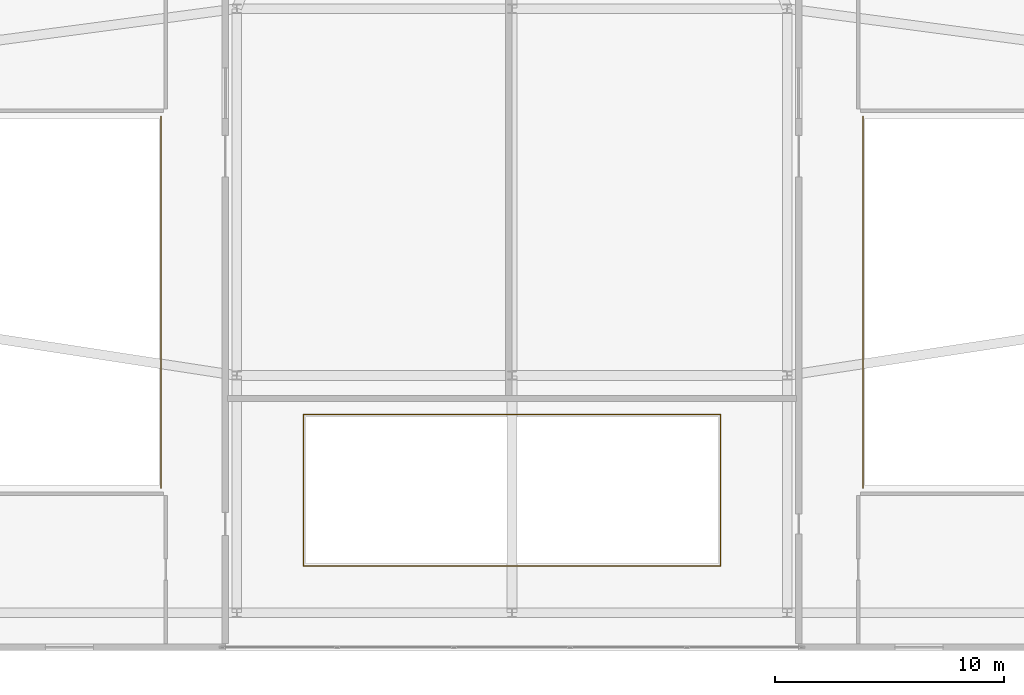
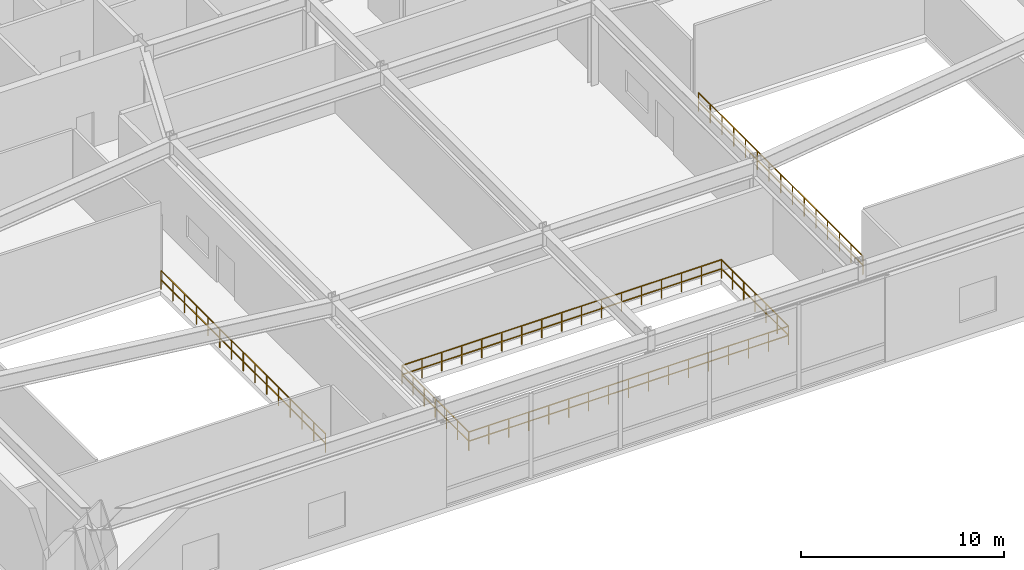
# One storey, part 12 of 13: 6 railings.
"""IFC4 building model written with IfcOpenShell, lengths in metres."""

from ifc_helpers import new_model, si_unit, direction, frame, origin, origin_2d, place, context, subcontext, project, spatial, rectangle, extrude, material, type_object, element, save


model = new_model("IFC4")

# Units and contexts
model_context = context("Model", 3, precision=1e-05, world=origin(), true_north=direction((0.0, 1.0)))
body_context = subcontext(model_context, "Body", "Model", "MODEL_VIEW")
ifc_project = project(units=[si_unit("LENGTHUNIT", "METRE"), si_unit("AREAUNIT", "SQUARE_METRE"), si_unit("VOLUMEUNIT", "CUBIC_METRE"), si_unit("PLANEANGLEUNIT", "RADIAN"), si_unit("MASSUNIT", "GRAM", prefix="KILO")], contexts=[model_context])

# Site, building, storey
site_placement = place(None, origin())
site = spatial("IfcSite", under=ifc_project, at=site_placement, CompositionType="ELEMENT")
building_placement = place(site_placement, origin())
building = spatial("IfcBuilding", under=site, at=building_placement, Name="Varnel Quay Broadcast Tower", CompositionType="ELEMENT")
storey_placement = place(building_placement, frame((0.0, 0.0, 6.0)))
storey = spatial("IfcBuildingStorey", under=building, at=storey_placement, Name="L01", CompositionType="ELEMENT", Elevation=6.0)

# Railings
ifc_material = material(Name="Anodised Bronze Aluminium 6063-T6", Category="aluminium")
railing_type = type_object("IfcRailingType", Name="Rail_Balustrade1150", PredefinedType="BALUSTRADE", material=ifc_material)
railing_1_placement = place(storey_placement, frame((18.699951171875, 7.10009765625, 0.0)))
element("IfcRailing", 1, at=railing_1_placement, inside=storey, type_object=railing_type, Name="L01 STDA Stage Gallery Safety Guard", PredefinedType="BALUSTRADE", context=body_context, shape_type="SweptSolid", body=[
    extrude(rectangle(XDim=0.048095703125, YDim=0.048095703125, at=origin_2d()), frame((0.0, 0.0, 1.1259765625), z_axis=(0.0, 1.0, 0.0), x_axis=(-1.0, 0.0, 0.0)), (0.0, 0.0, 1.0), 16.199951171875),
    extrude(rectangle(XDim=0.048095703125, YDim=0.048095703125, at=origin_2d()), frame((0.0, 0.0, 0.574951171875), z_axis=(0.0, 1.0, 0.0), x_axis=(-1.0, 0.0, 0.0)), (0.0, 0.0, 1.0), 16.199951171875),
    extrude(rectangle(XDim=0.0419921875, YDim=0.0419921875, at=origin_2d()), origin(), (0.0, 0.0, 1.0), 1.101806640625),
    extrude(rectangle(XDim=0.0419921875, YDim=0.0419921875, at=origin_2d()), frame((0.0, 1.1572265625, 0.0)), (0.0, 0.0, 1.0), 1.101806640625),
    extrude(rectangle(XDim=0.0419921875, YDim=0.0419921875, at=origin_2d()), frame((0.0, 2.314208984375, 0.0)), (0.0, 0.0, 1.0), 1.101806640625),
    extrude(rectangle(XDim=0.0419921875, YDim=0.0419921875, at=origin_2d()), frame((0.0, 3.471435546875, 0.0)), (0.0, 0.0, 1.0), 1.101806640625),
    extrude(rectangle(XDim=0.0419921875, YDim=0.0419921875, at=origin_2d()), frame((0.0, 4.628662109375, 0.0)), (0.0, 0.0, 1.0), 1.101806640625),
    extrude(rectangle(XDim=0.0419921875, YDim=0.0419921875, at=origin_2d()), frame((0.0, 5.78564453125, 0.0)), (0.0, 0.0, 1.0), 1.101806640625),
    extrude(rectangle(XDim=0.0419921875, YDim=0.0419921875, at=origin_2d()), frame((0.0, 6.94287109375, 0.0)), (0.0, 0.0, 1.0), 1.101806640625),
    extrude(rectangle(XDim=0.0419921875, YDim=0.0419921875, at=origin_2d()), frame((0.0, 8.10009765625, 0.0)), (0.0, 0.0, 1.0), 1.101806640625),
    extrude(rectangle(XDim=0.0419921875, YDim=0.0419921875, at=origin_2d()), frame((0.0, 9.257080078125, 0.0)), (0.0, 0.0, 1.0), 1.101806640625),
    extrude(rectangle(XDim=0.0419921875, YDim=0.0419921875, at=origin_2d()), frame((0.0, 10.414306640625, 0.0)), (0.0, 0.0, 1.0), 1.101806640625),
    extrude(rectangle(XDim=0.0419921875, YDim=0.0419921875, at=origin_2d()), frame((0.0, 11.5712890625, 0.0)), (0.0, 0.0, 1.0), 1.101806640625),
    extrude(rectangle(XDim=0.0419921875, YDim=0.0419921875, at=origin_2d()), frame((0.0, 12.728515625, 0.0)), (0.0, 0.0, 1.0), 1.101806640625),
    extrude(rectangle(XDim=0.0419921875, YDim=0.0419921875, at=origin_2d()), frame((0.0, 13.8857421875, 0.0)), (0.0, 0.0, 1.0), 1.101806640625),
    extrude(rectangle(XDim=0.0419921875, YDim=0.0419921875, at=origin_2d()), frame((0.0, 15.042724609375, 0.0)), (0.0, 0.0, 1.0), 1.101806640625),
    extrude(rectangle(XDim=0.0419921875, YDim=0.0419921875, at=origin_2d()), frame((0.0, 16.199951171875, 0.0)), (0.0, 0.0, 1.0), 1.101806640625),
])
railing_2_placement = place(storey_placement, frame((49.300048828125, 23.300048828125, 0.0)))
element("IfcRailing", 2, at=railing_2_placement, inside=storey, type_object=railing_type, Name="L01 STDB Stage Gallery Safety Guard", PredefinedType="BALUSTRADE", context=body_context, shape_type="SweptSolid", body=[
    extrude(rectangle(XDim=0.048095703125, YDim=0.048095703125, at=origin_2d()), frame((0.0, 0.0, 1.1259765625), z_axis=(0.0, -1.0, 0.0), x_axis=(1.0, 0.0, 0.0)), (0.0, 0.0, 1.0), 16.199951171875),
    extrude(rectangle(XDim=0.048095703125, YDim=0.048095703125, at=origin_2d()), frame((0.0, 0.0, 0.574951171875), z_axis=(0.0, -1.0, 0.0), x_axis=(1.0, 0.0, 0.0)), (0.0, 0.0, 1.0), 16.199951171875),
    extrude(rectangle(XDim=0.0419921875, YDim=0.0419921875, at=origin_2d()), origin(), (0.0, 0.0, 1.0), 1.101806640625),
    extrude(rectangle(XDim=0.0419921875, YDim=0.0419921875, at=origin_2d()), frame((0.0, -1.1572265625, 0.0)), (0.0, 0.0, 1.0), 1.101806640625),
    extrude(rectangle(XDim=0.0419921875, YDim=0.0419921875, at=origin_2d()), frame((0.0, -2.314208984375, 0.0)), (0.0, 0.0, 1.0), 1.101806640625),
    extrude(rectangle(XDim=0.0419921875, YDim=0.0419921875, at=origin_2d()), frame((0.0, -3.471435546875, 0.0)), (0.0, 0.0, 1.0), 1.101806640625),
    extrude(rectangle(XDim=0.0419921875, YDim=0.0419921875, at=origin_2d()), frame((0.0, -4.628662109375, 0.0)), (0.0, 0.0, 1.0), 1.101806640625),
    extrude(rectangle(XDim=0.0419921875, YDim=0.0419921875, at=origin_2d()), frame((0.0, -5.78564453125, 0.0)), (0.0, 0.0, 1.0), 1.101806640625),
    extrude(rectangle(XDim=0.0419921875, YDim=0.0419921875, at=origin_2d()), frame((0.0, -6.94287109375, 0.0)), (0.0, 0.0, 1.0), 1.101806640625),
    extrude(rectangle(XDim=0.0419921875, YDim=0.0419921875, at=origin_2d()), frame((0.0, -8.10009765625, 0.0)), (0.0, 0.0, 1.0), 1.101806640625),
    extrude(rectangle(XDim=0.0419921875, YDim=0.0419921875, at=origin_2d()), frame((0.0, -9.257080078125, 0.0)), (0.0, 0.0, 1.0), 1.101806640625),
    extrude(rectangle(XDim=0.0419921875, YDim=0.0419921875, at=origin_2d()), frame((0.0, -10.414306640625, 0.0)), (0.0, 0.0, 1.0), 1.101806640625),
    extrude(rectangle(XDim=0.0419921875, YDim=0.0419921875, at=origin_2d()), frame((0.0, -11.5712890625, 0.0)), (0.0, 0.0, 1.0), 1.101806640625),
    extrude(rectangle(XDim=0.0419921875, YDim=0.0419921875, at=origin_2d()), frame((0.0, -12.728515625, 0.0)), (0.0, 0.0, 1.0), 1.101806640625),
    extrude(rectangle(XDim=0.0419921875, YDim=0.0419921875, at=origin_2d()), frame((0.0, -13.8857421875, 0.0)), (0.0, 0.0, 1.0), 1.101806640625),
    extrude(rectangle(XDim=0.0419921875, YDim=0.0419921875, at=origin_2d()), frame((0.0, -15.042724609375, 0.0)), (0.0, 0.0, 1.0), 1.101806640625),
    extrude(rectangle(XDim=0.0419921875, YDim=0.0419921875, at=origin_2d()), frame((0.0, -16.199951171875, 0.0)), (0.0, 0.0, 1.0), 1.101806640625),
])
railing_3_placement = place(storey_placement, frame((24.89990234375, 3.699951171875, 0.0)))
element("IfcRailing", 3, at=railing_3_placement, inside=storey, type_object=railing_type, Name="L01 Waterfront Forum Mezzanine Atrium Guard Seg 1", PredefinedType="BALUSTRADE", context=body_context, shape_type="SweptSolid", body=[
    extrude(rectangle(XDim=0.048095703125, YDim=0.048095703125, at=origin_2d()), frame((0.0, 0.0, 1.1259765625), z_axis=(1.0, 0.0, 0.0), x_axis=(0.0, 1.0, 0.0)), (0.0, 0.0, 1.0), 18.2001953125),
    extrude(rectangle(XDim=0.048095703125, YDim=0.048095703125, at=origin_2d()), frame((0.0, 0.0, 0.574951171875), z_axis=(1.0, 0.0, 0.0), x_axis=(0.0, 1.0, 0.0)), (0.0, 0.0, 1.0), 18.2001953125),
    extrude(rectangle(XDim=0.0419921875, YDim=0.0419921875, at=origin_2d()), origin(), (0.0, 0.0, 1.0), 1.101806640625),
    extrude(rectangle(XDim=0.0419921875, YDim=0.0419921875, at=origin_2d()), frame((1.137451171875, 0.0, 0.0)), (0.0, 0.0, 1.0), 1.101806640625),
    extrude(rectangle(XDim=0.0419921875, YDim=0.0419921875, at=origin_2d()), frame((2.27490234375, 0.0, 0.0)), (0.0, 0.0, 1.0), 1.101806640625),
    extrude(rectangle(XDim=0.0419921875, YDim=0.0419921875, at=origin_2d()), frame((3.41259765625, 0.0, 0.0)), (0.0, 0.0, 1.0), 1.101806640625),
    extrude(rectangle(XDim=0.0419921875, YDim=0.0419921875, at=origin_2d()), frame((4.550048828125, 0.0, 0.0)), (0.0, 0.0, 1.0), 1.101806640625),
    extrude(rectangle(XDim=0.0419921875, YDim=0.0419921875, at=origin_2d()), frame((5.6875, 0.0, 0.0)), (0.0, 0.0, 1.0), 1.101806640625),
    extrude(rectangle(XDim=0.0419921875, YDim=0.0419921875, at=origin_2d()), frame((6.8251953125, 0.0, 0.0)), (0.0, 0.0, 1.0), 1.101806640625),
    extrude(rectangle(XDim=0.0419921875, YDim=0.0419921875, at=origin_2d()), frame((7.962646484375, 0.0, 0.0)), (0.0, 0.0, 1.0), 1.101806640625),
    extrude(rectangle(XDim=0.0419921875, YDim=0.0419921875, at=origin_2d()), frame((9.10009765625, 0.0, 0.0)), (0.0, 0.0, 1.0), 1.101806640625),
    extrude(rectangle(XDim=0.0419921875, YDim=0.0419921875, at=origin_2d()), frame((10.237548828125, 0.0, 0.0)), (0.0, 0.0, 1.0), 1.101806640625),
    extrude(rectangle(XDim=0.0419921875, YDim=0.0419921875, at=origin_2d()), frame((11.375, 0.0, 0.0)), (0.0, 0.0, 1.0), 1.101806640625),
    extrude(rectangle(XDim=0.0419921875, YDim=0.0419921875, at=origin_2d()), frame((12.5126953125, 0.0, 0.0)), (0.0, 0.0, 1.0), 1.101806640625),
    extrude(rectangle(XDim=0.0419921875, YDim=0.0419921875, at=origin_2d()), frame((13.650146484375, 0.0, 0.0)), (0.0, 0.0, 1.0), 1.101806640625),
    extrude(rectangle(XDim=0.0419921875, YDim=0.0419921875, at=origin_2d()), frame((14.78759765625, 0.0, 0.0)), (0.0, 0.0, 1.0), 1.101806640625),
    extrude(rectangle(XDim=0.0419921875, YDim=0.0419921875, at=origin_2d()), frame((15.92529296875, 0.0, 0.0)), (0.0, 0.0, 1.0), 1.101806640625),
    extrude(rectangle(XDim=0.0419921875, YDim=0.0419921875, at=origin_2d()), frame((17.062744140625, 0.0, 0.0)), (0.0, 0.0, 1.0), 1.101806640625),
    extrude(rectangle(XDim=0.0419921875, YDim=0.0419921875, at=origin_2d()), frame((18.2001953125, 0.0, 0.0)), (0.0, 0.0, 1.0), 1.101806640625),
])
railing_4_placement = place(storey_placement, frame((43.10009765625, 3.699951171875, 0.0)))
element("IfcRailing", 4, at=railing_4_placement, inside=storey, type_object=railing_type, Name="L01 Waterfront Forum Mezzanine Atrium Guard Seg 2", PredefinedType="BALUSTRADE", context=body_context, shape_type="SweptSolid", body=[
    extrude(rectangle(XDim=0.048095703125, YDim=0.048095703125, at=origin_2d()), frame((0.0, 0.0, 1.1259765625), z_axis=(0.0, 1.0, 0.0), x_axis=(-1.0, 0.0, 0.0)), (0.0, 0.0, 1.0), 6.60009765625),
    extrude(rectangle(XDim=0.048095703125, YDim=0.048095703125, at=origin_2d()), frame((0.0, 0.0, 0.574951171875), z_axis=(0.0, 1.0, 0.0), x_axis=(-1.0, 0.0, 0.0)), (0.0, 0.0, 1.0), 6.60009765625),
    extrude(rectangle(XDim=0.0419921875, YDim=0.0419921875, at=origin_2d()), origin(), (0.0, 0.0, 1.0), 1.101806640625),
    extrude(rectangle(XDim=0.0419921875, YDim=0.0419921875, at=origin_2d()), frame((0.0, 1.10009765625, 0.0)), (0.0, 0.0, 1.0), 1.101806640625),
    extrude(rectangle(XDim=0.0419921875, YDim=0.0419921875, at=origin_2d()), frame((0.0, 2.199951171875, 0.0)), (0.0, 0.0, 1.0), 1.101806640625),
    extrude(rectangle(XDim=0.0419921875, YDim=0.0419921875, at=origin_2d()), frame((0.0, 3.300048828125, 0.0)), (0.0, 0.0, 1.0), 1.101806640625),
    extrude(rectangle(XDim=0.0419921875, YDim=0.0419921875, at=origin_2d()), frame((0.0, 4.400146484375, 0.0)), (0.0, 0.0, 1.0), 1.101806640625),
    extrude(rectangle(XDim=0.0419921875, YDim=0.0419921875, at=origin_2d()), frame((0.0, 5.5, 0.0)), (0.0, 0.0, 1.0), 1.101806640625),
    extrude(rectangle(XDim=0.0419921875, YDim=0.0419921875, at=origin_2d()), frame((0.0, 6.60009765625, 0.0)), (0.0, 0.0, 1.0), 1.101806640625),
])
railing_5_placement = place(storey_placement, frame((43.10009765625, 10.300048828125, 0.0)))
element("IfcRailing", 5, at=railing_5_placement, inside=storey, type_object=railing_type, Name="L01 Waterfront Forum Mezzanine Atrium Guard Seg 3", PredefinedType="BALUSTRADE", context=body_context, shape_type="SweptSolid", body=[
    extrude(rectangle(XDim=0.048095703125, YDim=0.048095703125, at=origin_2d()), frame((0.0, 0.0, 1.1259765625), z_axis=(-1.0, 0.0, 0.0), x_axis=(0.0, -1.0, 0.0)), (0.0, 0.0, 1.0), 18.2001953125),
    extrude(rectangle(XDim=0.048095703125, YDim=0.048095703125, at=origin_2d()), frame((0.0, 0.0, 0.574951171875), z_axis=(-1.0, 0.0, 0.0), x_axis=(0.0, -1.0, 0.0)), (0.0, 0.0, 1.0), 18.2001953125),
    extrude(rectangle(XDim=0.0419921875, YDim=0.0419921875, at=origin_2d()), origin(), (0.0, 0.0, 1.0), 1.101806640625),
    extrude(rectangle(XDim=0.0419921875, YDim=0.0419921875, at=origin_2d()), frame((-1.137451171875, 0.0, 0.0)), (0.0, 0.0, 1.0), 1.101806640625),
    extrude(rectangle(XDim=0.0419921875, YDim=0.0419921875, at=origin_2d()), frame((-2.27490234375, 0.0, 0.0)), (0.0, 0.0, 1.0), 1.101806640625),
    extrude(rectangle(XDim=0.0419921875, YDim=0.0419921875, at=origin_2d()), frame((-3.41259765625, 0.0, 0.0)), (0.0, 0.0, 1.0), 1.101806640625),
    extrude(rectangle(XDim=0.0419921875, YDim=0.0419921875, at=origin_2d()), frame((-4.550048828125, 0.0, 0.0)), (0.0, 0.0, 1.0), 1.101806640625),
    extrude(rectangle(XDim=0.0419921875, YDim=0.0419921875, at=origin_2d()), frame((-5.6875, 0.0, 0.0)), (0.0, 0.0, 1.0), 1.101806640625),
    extrude(rectangle(XDim=0.0419921875, YDim=0.0419921875, at=origin_2d()), frame((-6.8251953125, 0.0, 0.0)), (0.0, 0.0, 1.0), 1.101806640625),
    extrude(rectangle(XDim=0.0419921875, YDim=0.0419921875, at=origin_2d()), frame((-7.962646484375, 0.0, 0.0)), (0.0, 0.0, 1.0), 1.101806640625),
    extrude(rectangle(XDim=0.0419921875, YDim=0.0419921875, at=origin_2d()), frame((-9.10009765625, 0.0, 0.0)), (0.0, 0.0, 1.0), 1.101806640625),
    extrude(rectangle(XDim=0.0419921875, YDim=0.0419921875, at=origin_2d()), frame((-10.237548828125, 0.0, 0.0)), (0.0, 0.0, 1.0), 1.101806640625),
    extrude(rectangle(XDim=0.0419921875, YDim=0.0419921875, at=origin_2d()), frame((-11.375, 0.0, 0.0)), (0.0, 0.0, 1.0), 1.101806640625),
    extrude(rectangle(XDim=0.0419921875, YDim=0.0419921875, at=origin_2d()), frame((-12.5126953125, 0.0, 0.0)), (0.0, 0.0, 1.0), 1.101806640625),
    extrude(rectangle(XDim=0.0419921875, YDim=0.0419921875, at=origin_2d()), frame((-13.650146484375, 0.0, 0.0)), (0.0, 0.0, 1.0), 1.101806640625),
    extrude(rectangle(XDim=0.0419921875, YDim=0.0419921875, at=origin_2d()), frame((-14.78759765625, 0.0, 0.0)), (0.0, 0.0, 1.0), 1.101806640625),
    extrude(rectangle(XDim=0.0419921875, YDim=0.0419921875, at=origin_2d()), frame((-15.92529296875, 0.0, 0.0)), (0.0, 0.0, 1.0), 1.101806640625),
    extrude(rectangle(XDim=0.0419921875, YDim=0.0419921875, at=origin_2d()), frame((-17.062744140625, 0.0, 0.0)), (0.0, 0.0, 1.0), 1.101806640625),
    extrude(rectangle(XDim=0.0419921875, YDim=0.0419921875, at=origin_2d()), frame((-18.2001953125, 0.0, 0.0)), (0.0, 0.0, 1.0), 1.101806640625),
])
railing_6_placement = place(storey_placement, frame((24.89990234375, 10.300048828125, 0.0)))
element("IfcRailing", 6, at=railing_6_placement, inside=storey, type_object=railing_type, Name="L01 Waterfront Forum Mezzanine Atrium Guard Seg 4", PredefinedType="BALUSTRADE", context=body_context, shape_type="SweptSolid", body=[
    extrude(rectangle(XDim=0.048095703125, YDim=0.048095703125, at=origin_2d()), frame((0.0, 0.0, 1.1259765625), z_axis=(0.0, -1.0, 0.0), x_axis=(1.0, 0.0, 0.0)), (0.0, 0.0, 1.0), 6.60009765625),
    extrude(rectangle(XDim=0.048095703125, YDim=0.048095703125, at=origin_2d()), frame((0.0, 0.0, 0.574951171875), z_axis=(0.0, -1.0, 0.0), x_axis=(1.0, 0.0, 0.0)), (0.0, 0.0, 1.0), 6.60009765625),
    extrude(rectangle(XDim=0.0419921875, YDim=0.0419921875, at=origin_2d()), origin(), (0.0, 0.0, 1.0), 1.101806640625),
    extrude(rectangle(XDim=0.0419921875, YDim=0.0419921875, at=origin_2d()), frame((0.0, -1.10009765625, 0.0)), (0.0, 0.0, 1.0), 1.101806640625),
    extrude(rectangle(XDim=0.0419921875, YDim=0.0419921875, at=origin_2d()), frame((0.0, -2.199951171875, 0.0)), (0.0, 0.0, 1.0), 1.101806640625),
    extrude(rectangle(XDim=0.0419921875, YDim=0.0419921875, at=origin_2d()), frame((0.0, -3.300048828125, 0.0)), (0.0, 0.0, 1.0), 1.101806640625),
    extrude(rectangle(XDim=0.0419921875, YDim=0.0419921875, at=origin_2d()), frame((0.0, -4.400146484375, 0.0)), (0.0, 0.0, 1.0), 1.101806640625),
    extrude(rectangle(XDim=0.0419921875, YDim=0.0419921875, at=origin_2d()), frame((0.0, -5.5, 0.0)), (0.0, 0.0, 1.0), 1.101806640625),
    extrude(rectangle(XDim=0.0419921875, YDim=0.0419921875, at=origin_2d()), frame((0.0, -6.60009765625, 0.0)), (0.0, 0.0, 1.0), 1.101806640625),
])

save(model, "model.ifc")
